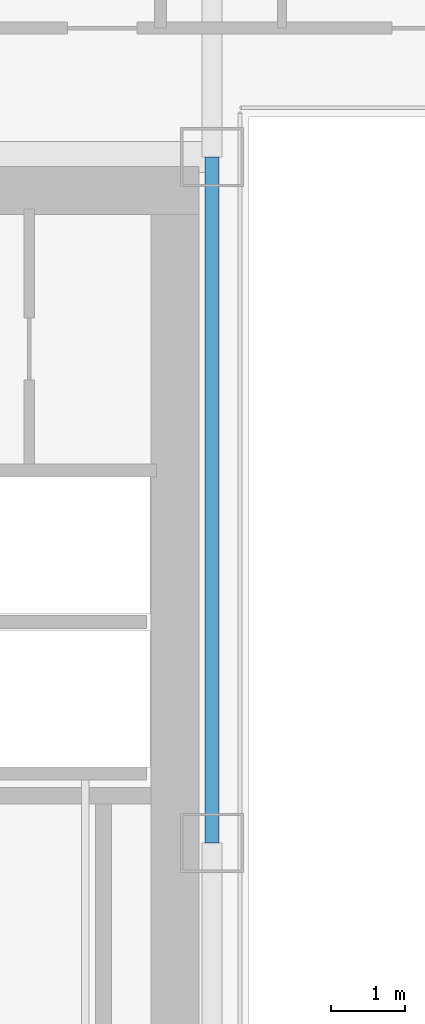
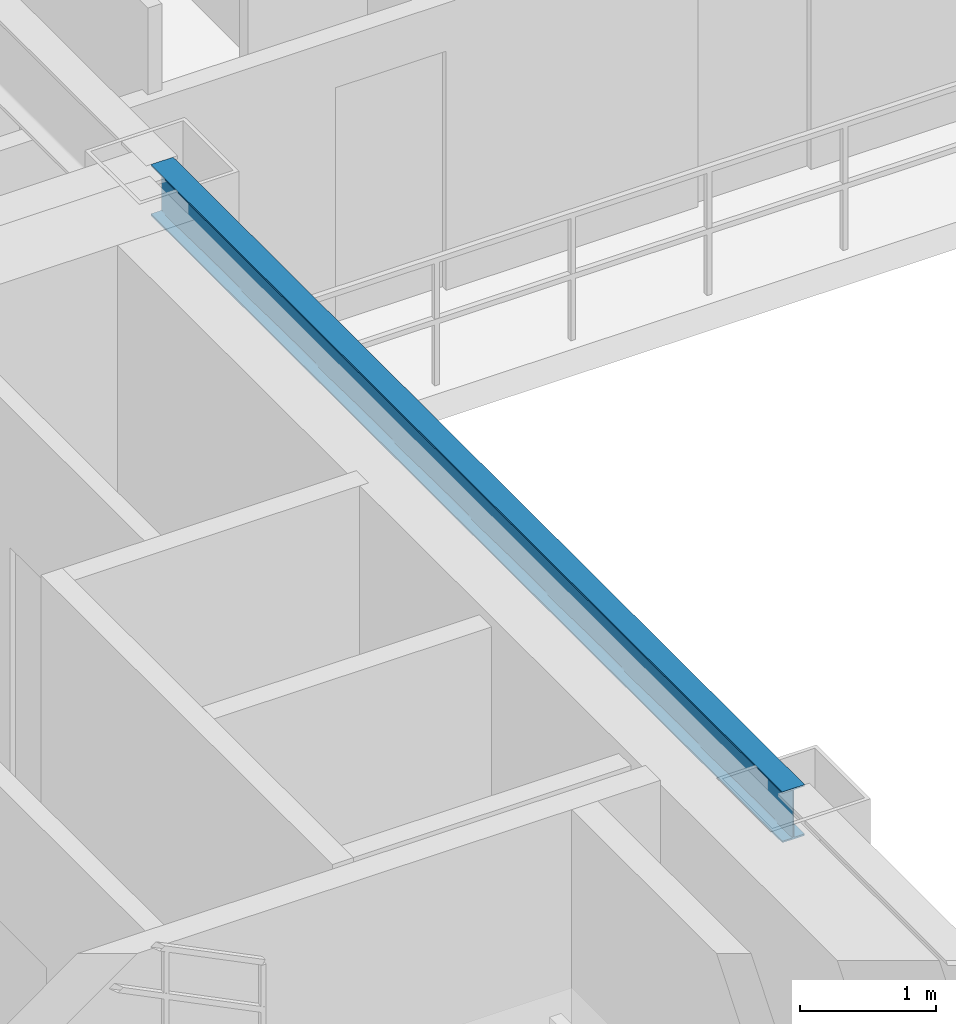
# One storey, part 9 of 36: 1 beam.
"""IFC4 building model written with IfcOpenShell, lengths in metres."""

import ifcopenshell
import ifcopenshell.guid

model = None  # the IFC model being written
_history = None  # IfcOwnerHistory: only IFC2X3 demands one
_inside = {}  # id of a spatial element -> (the spatial element, [elements in it])
_under = {}  # id of a project, library or spatial element -> (it, [spatial elements below it])
_declared = {}  # id of a project -> (the project, [libraries it declares])
_typed = {}  # id of a type object -> (the type object, [elements of that type])
_made_of = {}  # id of a material, layer set ... -> (it, [elements and type objects made of it])


def new_model(schema):
    """Start an empty IFC model of exactly this schema.

    Asked for "IFC4X3", IfcOpenShell would pick the latest addendum, in which some entities
    have other attributes; the version numbers below select the first issue.
    IFC2X3 requires an IfcOwnerHistory on every rooted entity: one is made here for all.
    """
    global model, _history
    if schema == "IFC4X3":
        model = ifcopenshell.file(schema_version=(4, 3, 0, 0))
    else:
        model = ifcopenshell.file(schema=schema)
    _inside.clear()
    _under.clear()
    _declared.clear()
    _typed.clear()
    _made_of.clear()
    _history = None
    if model.schema == "IFC2X3":
        org = make("IfcOrganization", Name="unknown")
        user = make(
            "IfcPersonAndOrganization",
            ThePerson=make("IfcPerson", FamilyName="unknown"),
            TheOrganization=org,
        )
        app = make(
            "IfcApplication",
            ApplicationDeveloper=org,
            Version="unknown",
            ApplicationFullName="unknown",
            ApplicationIdentifier="unknown",
        )
        _history = make(
            "IfcOwnerHistory",
            OwningUser=user,
            OwningApplication=app,
            ChangeAction="ADDED",
            CreationDate=0,
        )
    return model


def make(cls, **values):
    """One entity of the class cls with the attributes given. An attribute that is None is left unset."""
    return model.create_entity(
        cls, **{name: value for name, value in values.items() if value is not None}
    )


def rooted(cls, **values):
    """An entity with a GlobalId (a new one), such as an element, a storey or a relation."""
    return make(cls, GlobalId=ifcopenshell.guid.new(), OwnerHistory=_history, **values)


def si_unit(unit_type, name, prefix=None):
    """IfcSIUnit, for example si_unit("LENGTHUNIT", "METRE", prefix="MILLI")."""
    return make("IfcSIUnit", UnitType=unit_type, Prefix=prefix, Name=name)


def assignment(units):
    """IfcUnitAssignment: the units of a project."""
    return None if units is None else make("IfcUnitAssignment", Units=units)


def point(xyz):
    """IfcCartesianPoint."""
    return None if xyz is None else make("IfcCartesianPoint", Coordinates=xyz)


def direction(xyz):
    """IfcDirection."""
    return None if xyz is None else make("IfcDirection", DirectionRatios=xyz)


def frame(location, z_axis=None, x_axis=None):
    """IfcAxis2Placement3D, a coordinate frame: its origin and axes. An axis left out is left unset."""
    return make(
        "IfcAxis2Placement3D",
        Location=point(location),
        Axis=direction(z_axis),
        RefDirection=direction(x_axis),
    )


def frame_2d(location, x_axis=None):
    """IfcAxis2Placement2D, a coordinate frame in the plane: its origin and x axis."""
    return make(
        "IfcAxis2Placement2D", Location=point(location), RefDirection=direction(x_axis)
    )


def origin():
    """The frame at (0, 0, 0) with its axes left unset."""
    return frame((0.0, 0.0, 0.0))


def origin_2d():
    """The frame at (0, 0) in the plane with its x axis left unset."""
    return frame_2d((0.0, 0.0))


def place(relative_to, where):
    """IfcLocalPlacement: puts the frame where relative to a parent placement (None: the world)."""
    return make(
        "IfcLocalPlacement", PlacementRelTo=relative_to, RelativePlacement=where
    )


def context(
    kind, dimensions, precision=None, world=None, true_north=None, identifier=None
):
    """IfcGeometricRepresentationContext, for example the 3D "Model" context."""
    return make(
        "IfcGeometricRepresentationContext",
        ContextIdentifier=identifier,
        ContextType=kind,
        CoordinateSpaceDimension=dimensions,
        Precision=precision,
        WorldCoordinateSystem=world,
        TrueNorth=true_north,
    )


def subcontext(parent, identifier, kind, view, scale=None):
    """IfcGeometricRepresentationSubContext, for example "Body" below "Model"."""
    return make(
        "IfcGeometricRepresentationSubContext",
        ContextIdentifier=identifier,
        ContextType=kind,
        ParentContext=parent,
        TargetScale=scale,
        TargetView=view,
    )


def project(units=None, contexts=None):
    """IfcProject with its units and contexts."""
    return rooted(
        "IfcProject",
        Name="project",
        RepresentationContexts=contexts,
        UnitsInContext=assignment(units),
    )


def spatial(cls, under=None, at=None, **own):
    """A site, building, storey or space (cls), placed at a placement, below another one or the project."""
    s = rooted(cls, ObjectPlacement=at, **own)
    if under is not None:
        _under.setdefault(under.id(), (under, []))[1].append(s)
    return s


def profile(cls, at=None, kind="AREA", **sizes):
    """A parametric profile (cls). Its sizes go by their IFC names, for example OverallWidth=200.0."""
    return make(cls, ProfileType=kind, Position=at, **sizes)


def i_section(**sizes):
    """IfcIShapeProfileDef."""
    return profile("IfcIShapeProfileDef", **sizes)


def extrude(swept, where, along, depth):
    """IfcExtrudedAreaSolid: the profile swept, set in the frame where, extruded along a direction by depth."""
    return make(
        "IfcExtrudedAreaSolid",
        SweptArea=swept,
        Position=where,
        ExtrudedDirection=direction(along),
        Depth=depth,
    )


def shape(context_of_items, identifier, shape_type, items):
    """IfcShapeRepresentation: the items that make up one representation, for example the "Body"."""
    return make(
        "IfcShapeRepresentation",
        ContextOfItems=context_of_items,
        RepresentationIdentifier=identifier,
        RepresentationType=shape_type,
        Items=items,
    )


def source(mapping_origin, context_of_items, identifier, shape_type, items):
    """IfcRepresentationMap: a shape defined once, which mapped items show again and again."""
    return make(
        "IfcRepresentationMap",
        MappingOrigin=mapping_origin,
        MappedRepresentation=shape(context_of_items, identifier, shape_type, items),
    )


def transform(
    local_origin,
    x_axis=None,
    y_axis=None,
    z_axis=None,
    scale=None,
    scale2=None,
    scale3=None,
    uniform=True,
):
    """IfcCartesianTransformationOperator3D, or its non-uniform kind. x_axis, y_axis, z_axis: its Axis1, 2, 3."""
    if uniform:
        return make(
            "IfcCartesianTransformationOperator3D",
            Axis1=direction(x_axis),
            Axis2=direction(y_axis),
            LocalOrigin=point(local_origin),
            Scale=scale,
            Axis3=direction(z_axis),
        )
    return make(
        "IfcCartesianTransformationOperator3DnonUniform",
        Axis1=direction(x_axis),
        Axis2=direction(y_axis),
        LocalOrigin=point(local_origin),
        Scale=scale,
        Axis3=direction(z_axis),
        Scale2=scale2,
        Scale3=scale3,
    )


def mapped(mapping_source, mapping_target):
    """IfcMappedItem: shows the shape of a source again, moved by a transform."""
    return make(
        "IfcMappedItem", MappingSource=mapping_source, MappingTarget=mapping_target
    )


def material(Name=None, Category=None):
    """IfcMaterial."""
    return make("IfcMaterial", Name=Name, Category=Category)


def material_profile(
    of_material, cross_section, Name=None, Category=None, Priority=None
):
    """IfcMaterialProfile: a cross section and its material."""
    return make(
        "IfcMaterialProfile",
        Name=Name,
        Material=of_material,
        Profile=cross_section,
        Priority=Priority,
        Category=Category,
    )


def profile_set(profiles, Name=None, composite=None):
    """IfcMaterialProfileSet."""
    return make(
        "IfcMaterialProfileSet",
        Name=Name,
        MaterialProfiles=profiles,
        CompositeProfile=composite,
    )


def made_of(thing, what):
    """Note that an element or type object is made of a material, layer set ...; save() writes the relation."""
    if what is not None:
        _made_of.setdefault(what.id(), (what, []))[1].append(thing)
    return thing


def type_object(cls, material=None, **own):
    """A type object (cls), such as IfcWallType, which elements share."""
    return made_of(rooted(cls, **own), material)


def element(
    cls,
    number,
    at=None,
    inside=None,
    cuts=None,
    type_object=None,
    material=None,
    context=None,
    identifier="Body",
    shape_type=None,
    held_by="IfcProductDefinitionShape",
    body=None,
    shapes=None,
    **own,
):
    """One element of the class cls, such as IfcWall. Its Tag is "e" and its number.

    at: its placement. inside: the storey or other place that contains it. cuts: it is an
    opening in that element (IfcRelVoidsElement). A single representation is given by context,
    identifier, shape_type and body (its items); several are given by shapes. held_by: the class
    of the entity that holds the representations. save() writes the other relations.
    """
    e = rooted(cls, Tag="e%d" % number, ObjectPlacement=at, **own)
    if body is not None:
        shapes = [shape(context, identifier, shape_type, body)]
    if shapes is not None:
        e.Representation = make(held_by, Representations=shapes)
    if inside is not None:
        _inside.setdefault(inside.id(), (inside, []))[1].append(e)
    if cuts is not None:
        rooted(
            "IfcRelVoidsElement", RelatingBuildingElement=cuts, RelatedOpeningElement=e
        )
    if type_object is not None:
        _typed.setdefault(type_object.id(), (type_object, []))[1].append(e)
    return made_of(e, material)


def aggregate(whole, parts):
    """IfcRelAggregates: a whole, such as a stair, and the parts it consists of."""
    return rooted("IfcRelAggregates", RelatingObject=whole, RelatedObjects=parts)


def save(model, path):
    """Write the relations noted so far, then the file.

    IfcRelAggregates (storeys below a building ...), IfcRelContainedInSpatialStructure (elements
    in a storey), IfcRelDefinesByType, IfcRelAssociatesMaterial and IfcRelDeclares: one each for
    every whole, place, type object, material and project.
    """
    for whole, parts in _under.values():
        aggregate(whole, parts)
    for where, things in _inside.values():
        rooted(
            "IfcRelContainedInSpatialStructure",
            RelatedElements=things,
            RelatingStructure=where,
        )
    for kind, things in _typed.values():
        rooted("IfcRelDefinesByType", RelatedObjects=things, RelatingType=kind)
    for what, things in _made_of.values():
        rooted("IfcRelAssociatesMaterial", RelatedObjects=things, RelatingMaterial=what)
    for by, libraries in _declared.values():
        rooted("IfcRelDeclares", RelatingContext=by, RelatedDefinitions=libraries)
    model.write(path)


model = new_model("IFC4")

# Units and contexts
model_context = context("Model", 3, precision=1e-05, world=origin(), true_north=direction((0.0, 1.0)))
body_context = subcontext(model_context, "Body", "Model", "MODEL_VIEW")
ifc_project = project(units=[si_unit("LENGTHUNIT", "METRE"), si_unit("AREAUNIT", "SQUARE_METRE"), si_unit("VOLUMEUNIT", "CUBIC_METRE"), si_unit("PLANEANGLEUNIT", "RADIAN"), si_unit("MASSUNIT", "GRAM", prefix="KILO")], contexts=[model_context])

# Site, building, storey
site_placement = place(None, origin())
site = spatial("IfcSite", under=ifc_project, at=site_placement, CompositionType="ELEMENT")
building_placement = place(site_placement, origin())
building = spatial("IfcBuilding", under=site, at=building_placement, Name="Ocotamira Hotel", CompositionType="ELEMENT")
storey_placement = place(building_placement, frame((0.0, 0.0, 133.199951171875)))
storey = spatial("IfcBuildingStorey", under=building, at=storey_placement, Name="L33", CompositionType="ELEMENT", Elevation=133.199951171875)

# Beam
ifc_material = material(Name="Steel ASTM A992 Grade 50", Category="steel")
ifc_material_profile = material_profile(ifc_material, i_section(OverallWidth=0.18994140625, OverallDepth=0.45703125, WebThickness=0.009033203125, FlangeThickness=0.014404296875, FilletRadius=0.010009765625, at=origin_2d()), Name="W18X50")
ifc_profile_set = profile_set([ifc_material_profile], Name="Steel ASTM A992 Grade 50")
beam_type = type_object("IfcBeamType", Name="BM-SEC-W18X50", PredefinedType="JOIST", material=ifc_profile_set)
shared_shape = source(origin(), body_context, "Body", "SweptSolid", [
    extrude(i_section(OverallWidth=0.18994140625, OverallDepth=0.45703125, WebThickness=0.009033203125, FlangeThickness=0.014404296875, FilletRadius=0.010009765625, at=origin_2d()), origin(), (0.0, 0.0, 1.0), 9.300048828125),
])
beam_placement = place(storey_placement, frame((23.5, 28.14990234375, 3.131591796875), z_axis=(0.0, 1.0, 0.0), x_axis=(-1.0, 0.0, 0.0)))
element("IfcBeam", 1, at=beam_placement, inside=storey, type_object=beam_type, Name="L33 Beam X23.5 Y28.15-37.45", PredefinedType="JOIST", context=body_context, shape_type="MappedRepresentation", body=[
    mapped(shared_shape, transform((0.0, 0.0, 0.0), scale=1.0)),
])

save(model, "model.ifc")
